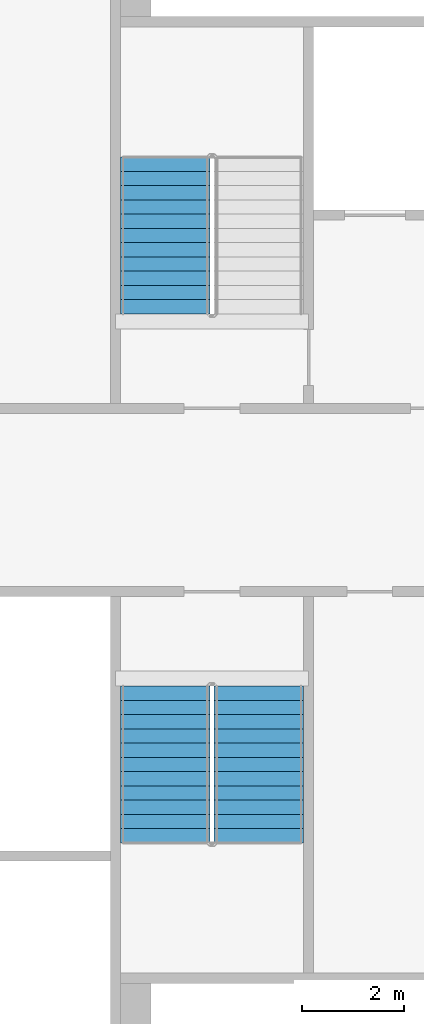
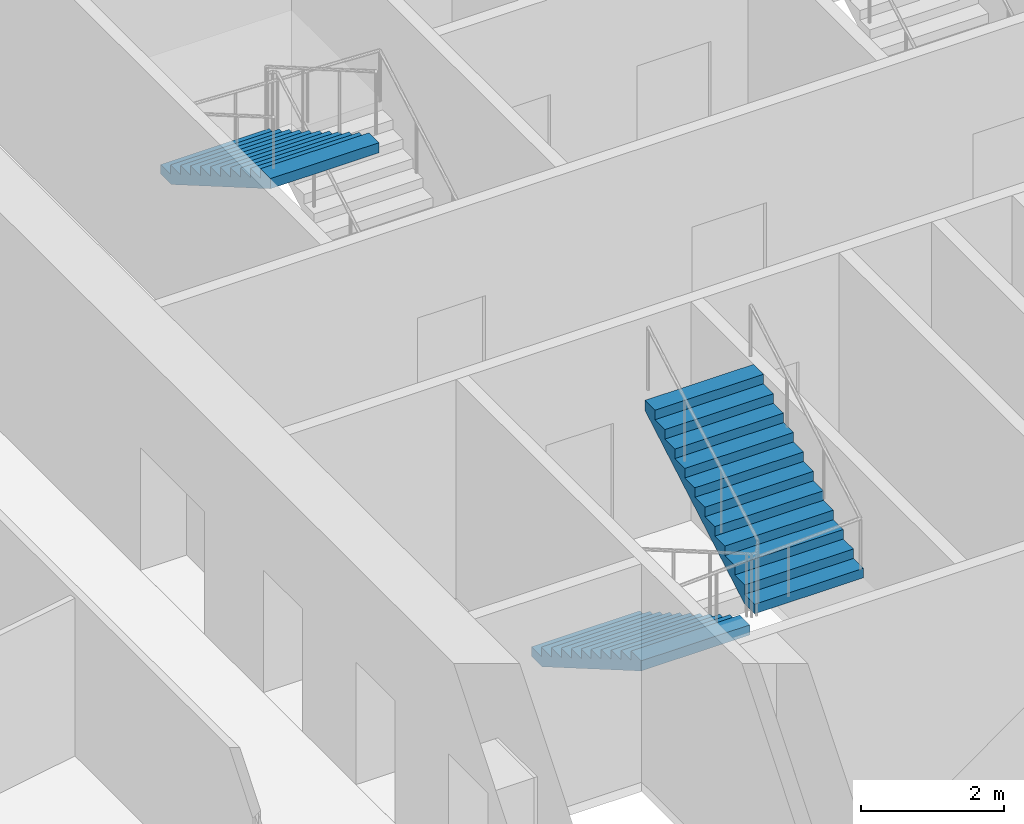
# One storey, part 13 of 21: 3 stair flights, 2 elements without a shape of their own.
"""IFC4 building model written with IfcOpenShell, lengths in metres."""

from ifc_helpers import new_model, si_unit, direction, frame, origin, place, context, subcontext, project, spatial, faceted_brep, material, type_object, element, aggregate, save


model = new_model("IFC4")

# Units and contexts
model_context = context("Model", 3, precision=1e-05, world=origin(), true_north=direction((0.0, 1.0)))
body_context = subcontext(model_context, "Body", "Model", "MODEL_VIEW")
ifc_project = project(units=[si_unit("LENGTHUNIT", "METRE"), si_unit("AREAUNIT", "SQUARE_METRE"), si_unit("VOLUMEUNIT", "CUBIC_METRE"), si_unit("PLANEANGLEUNIT", "RADIAN"), si_unit("MASSUNIT", "GRAM", prefix="KILO")], contexts=[model_context])

# Site, building, storey
site_placement = place(None, origin())
site = spatial("IfcSite", under=ifc_project, at=site_placement, CompositionType="ELEMENT")
building_placement = place(site_placement, origin())
building = spatial("IfcBuilding", under=site, at=building_placement, Name="Tarsis Ring Headquarters", CompositionType="ELEMENT")
storey_placement = place(building_placement, frame((0.0, 0.0, 100.60009765625)))
storey = spatial("IfcBuildingStorey", under=building, at=storey_placement, Name="L22", CompositionType="ELEMENT", Elevation=100.60009765625)

# Stair, stair flight
ifc_material_1 = material(Name="Core stair 1760")
stair_type = type_object("IfcStairType", Name="Core stair 1760", PredefinedType="HALF_TURN_STAIR", material=ifc_material_1)
stair_1_placement = place(storey_placement, origin())
stair_1 = element("IfcStair", 1, at=stair_1_placement, inside=storey, type_object=stair_type, Name="L22 Firefighting stair", PredefinedType="HALF_TURN_STAIR")
ifc_material_2 = material(Name="Concrete C40/50", Category="concrete")
stair_flight_type = type_object("IfcStairFlightType", Name="Core stair flight 1760", PredefinedType="STRAIGHT", material=ifc_material_2)
stair_flight_1_placement = place(storey_placement, frame((-5.419921875, 6.739990234375, 1.949951171875), z_axis=(0.0, 0.0, 1.0), x_axis=(0.0, -1.0, 0.0)))
stair_flight_1 = element("IfcStairFlight", 2, at=stair_flight_1_placement, type_object=stair_flight_type, Name="Stair ST1 flight 2", NumberOfRisers=12, NumberOfTreads=11, PredefinedType="STRAIGHT", RiserHeight=0.1625, TreadLength=0.28, context=body_context, shape_type="Brep", body=[
    faceted_brep([(0.0, 0.8798828125, 0.0), (0.0, 0.8798828125, 0.16259765625), (0.280029296875, 0.8798828125, 0.16259765625), (0.280029296875, 0.8798828125, 0.324951171875), (0.56005859375, 0.8798828125, 0.324951171875), (0.56005859375, 0.8798828125, 0.487548828125), (0.840087890625, 0.8798828125, 0.487548828125), (0.840087890625, 0.8798828125, 0.64990234375), (1.1201171875, 0.8798828125, 0.64990234375), (1.1201171875, 0.8798828125, 0.8125), (1.39990234375, 0.8798828125, 0.8125), (1.39990234375, 0.8798828125, 0.97509765625), (1.679931640625, 0.8798828125, 0.97509765625), (1.679931640625, 0.8798828125, 1.137451171875), (1.9599609375, 0.8798828125, 1.137451171875), (1.9599609375, 0.8798828125, 1.300048828125), (2.239990234375, 0.8798828125, 1.300048828125), (2.239990234375, 0.8798828125, 1.46240234375), (2.52001953125, 0.8798828125, 1.46240234375), (2.52001953125, 0.8798828125, 1.625), (2.800048828125, 0.8798828125, 1.625), (2.800048828125, 0.8798828125, 1.78759765625), (3.080078125, 0.8798828125, 1.78759765625), (3.080078125, 0.8798828125, 1.6142578125), (0.298583984375, 0.8798828125, 0.0), (0.298583984375, -0.8798828125, 0.0), (3.080078125, -0.8798828125, 1.6142578125), (3.080078125, -0.8798828125, 1.78759765625), (2.800048828125, -0.8798828125, 1.78759765625), (2.800048828125, -0.8798828125, 1.625), (2.52001953125, -0.8798828125, 1.625), (2.52001953125, -0.8798828125, 1.46240234375), (2.239990234375, -0.8798828125, 1.46240234375), (2.239990234375, -0.8798828125, 1.300048828125), (1.9599609375, -0.8798828125, 1.300048828125), (1.9599609375, -0.8798828125, 1.137451171875), (1.679931640625, -0.8798828125, 1.137451171875), (1.679931640625, -0.8798828125, 0.97509765625), (1.39990234375, -0.8798828125, 0.97509765625), (1.39990234375, -0.8798828125, 0.8125), (1.1201171875, -0.8798828125, 0.8125), (1.1201171875, -0.8798828125, 0.64990234375), (0.840087890625, -0.8798828125, 0.64990234375), (0.840087890625, -0.8798828125, 0.487548828125), (0.56005859375, -0.8798828125, 0.487548828125), (0.56005859375, -0.8798828125, 0.324951171875), (0.280029296875, -0.8798828125, 0.324951171875), (0.280029296875, -0.8798828125, 0.16259765625), (0.0, -0.8798828125, 0.16259765625), (0.0, -0.8798828125, 0.0), (0.0, -0.43994140625, 0.16259765625), (0.0, -0.43994140625, 0.0), (0.0, 0.0, 0.16259765625), (0.0, 0.0, 0.0), (0.0, 0.43994140625, 0.16259765625), (0.0, 0.43994140625, 0.0), (0.280029296875, -0.43994140625, 0.16259765625), (0.280029296875, 0.0, 0.16259765625), (0.280029296875, 0.43994140625, 0.16259765625), (0.280029296875, -0.43994140625, 0.324951171875), (0.280029296875, 0.0, 0.324951171875), (0.280029296875, 0.43994140625, 0.324951171875), (0.56005859375, -0.43994140625, 0.324951171875), (0.56005859375, 0.0, 0.324951171875), (0.56005859375, 0.43994140625, 0.324951171875), (0.56005859375, -0.43994140625, 0.487548828125), (0.56005859375, 0.0, 0.487548828125), (0.56005859375, 0.43994140625, 0.487548828125), (0.840087890625, -0.43994140625, 0.487548828125), (0.840087890625, 0.0, 0.487548828125), (0.840087890625, 0.43994140625, 0.487548828125), (0.840087890625, -0.43994140625, 0.64990234375), (0.840087890625, 0.0, 0.64990234375), (0.840087890625, 0.43994140625, 0.64990234375), (1.1201171875, -0.43994140625, 0.64990234375), (1.1201171875, 0.0, 0.64990234375), (1.1201171875, 0.43994140625, 0.64990234375), (1.1201171875, -0.43994140625, 0.8125), (1.1201171875, 0.0, 0.8125), (1.1201171875, 0.43994140625, 0.8125), (1.39990234375, -0.43994140625, 0.8125), (1.39990234375, 0.0, 0.8125), (1.39990234375, 0.43994140625, 0.8125), (1.39990234375, -0.43994140625, 0.97509765625), (1.39990234375, 0.0, 0.97509765625), (1.39990234375, 0.43994140625, 0.97509765625), (1.679931640625, -0.43994140625, 0.97509765625), (1.679931640625, 0.0, 0.97509765625), (1.679931640625, 0.43994140625, 0.97509765625), (1.679931640625, -0.43994140625, 1.137451171875), (1.679931640625, 0.0, 1.137451171875), (1.679931640625, 0.43994140625, 1.137451171875), (1.9599609375, -0.43994140625, 1.137451171875), (1.9599609375, 0.0, 1.137451171875), (1.9599609375, 0.43994140625, 1.137451171875), (1.9599609375, -0.43994140625, 1.300048828125), (1.9599609375, 0.0, 1.300048828125), (1.9599609375, 0.43994140625, 1.300048828125), (2.239990234375, -0.43994140625, 1.300048828125), (2.239990234375, 0.0, 1.300048828125), (2.239990234375, 0.43994140625, 1.300048828125), (2.239990234375, -0.43994140625, 1.46240234375), (2.239990234375, 0.0, 1.46240234375), (2.239990234375, 0.43994140625, 1.46240234375), (2.52001953125, -0.43994140625, 1.46240234375), (2.52001953125, 0.0, 1.46240234375), (2.52001953125, 0.43994140625, 1.46240234375), (2.52001953125, -0.43994140625, 1.625), (2.52001953125, 0.0, 1.625), (2.52001953125, 0.43994140625, 1.625), (2.800048828125, -0.43994140625, 1.625), (2.800048828125, 0.0, 1.625), (2.800048828125, 0.43994140625, 1.625), (2.800048828125, -0.43994140625, 1.78759765625), (2.800048828125, 0.0, 1.78759765625), (2.800048828125, 0.43994140625, 1.78759765625), (3.080078125, -0.43994140625, 1.78759765625), (3.080078125, 0.0, 1.78759765625), (3.080078125, 0.43994140625, 1.78759765625), (3.080078125, -0.43994140625, 1.6142578125), (3.080078125, 0.0, 1.6142578125), (3.080078125, 0.43994140625, 1.6142578125), (0.298583984375, -0.43994140625, 0.0), (0.298583984375, 0.0, 0.0), (0.298583984375, 0.43994140625, 0.0)], [[[0, 1, 2, 3, 4, 5, 6, 7, 8, 9, 10, 11, 12, 13, 14, 15, 16, 17, 18, 19, 20, 21, 22, 23, 24]], [[25, 26, 27, 28, 29, 30, 31, 32, 33, 34, 35, 36, 37, 38, 39, 40, 41, 42, 43, 44, 45, 46, 47, 48, 49]], [[49, 48, 50, 51]], [[51, 50, 52, 53]], [[53, 52, 54, 55]], [[55, 54, 1, 0]], [[48, 47, 56, 50]], [[50, 56, 57, 52]], [[52, 57, 58, 54]], [[54, 58, 2, 1]], [[47, 46, 59, 56]], [[56, 59, 60, 57]], [[57, 60, 61, 58]], [[58, 61, 3, 2]], [[46, 45, 62, 59]], [[59, 62, 63, 60]], [[60, 63, 64, 61]], [[61, 64, 4, 3]], [[45, 44, 65, 62]], [[62, 65, 66, 63]], [[63, 66, 67, 64]], [[64, 67, 5, 4]], [[44, 43, 68, 65]], [[65, 68, 69, 66]], [[66, 69, 70, 67]], [[67, 70, 6, 5]], [[43, 42, 71, 68]], [[68, 71, 72, 69]], [[69, 72, 73, 70]], [[70, 73, 7, 6]], [[42, 41, 74, 71]], [[71, 74, 75, 72]], [[72, 75, 76, 73]], [[73, 76, 8, 7]], [[41, 40, 77, 74]], [[74, 77, 78, 75]], [[75, 78, 79, 76]], [[76, 79, 9, 8]], [[40, 39, 80, 77]], [[77, 80, 81, 78]], [[78, 81, 82, 79]], [[79, 82, 10, 9]], [[39, 38, 83, 80]], [[80, 83, 84, 81]], [[81, 84, 85, 82]], [[82, 85, 11, 10]], [[38, 37, 86, 83]], [[83, 86, 87, 84]], [[84, 87, 88, 85]], [[85, 88, 12, 11]], [[37, 36, 89, 86]], [[86, 89, 90, 87]], [[87, 90, 91, 88]], [[88, 91, 13, 12]], [[36, 35, 92, 89]], [[89, 92, 93, 90]], [[90, 93, 94, 91]], [[91, 94, 14, 13]], [[35, 34, 95, 92]], [[92, 95, 96, 93]], [[93, 96, 97, 94]], [[94, 97, 15, 14]], [[34, 33, 98, 95]], [[95, 98, 99, 96]], [[96, 99, 100, 97]], [[97, 100, 16, 15]], [[33, 32, 101, 98]], [[98, 101, 102, 99]], [[99, 102, 103, 100]], [[100, 103, 17, 16]], [[32, 31, 104, 101]], [[101, 104, 105, 102]], [[102, 105, 106, 103]], [[103, 106, 18, 17]], [[31, 30, 107, 104]], [[104, 107, 108, 105]], [[105, 108, 109, 106]], [[106, 109, 19, 18]], [[30, 29, 110, 107]], [[107, 110, 111, 108]], [[108, 111, 112, 109]], [[109, 112, 20, 19]], [[29, 28, 113, 110]], [[110, 113, 114, 111]], [[111, 114, 115, 112]], [[112, 115, 21, 20]], [[28, 27, 116, 113]], [[113, 116, 117, 114]], [[114, 117, 118, 115]], [[115, 118, 22, 21]], [[27, 26, 119, 116]], [[116, 119, 120, 117]], [[117, 120, 121, 118]], [[118, 121, 23, 22]], [[26, 25, 122, 119]], [[119, 122, 123, 120]], [[120, 123, 124, 121]], [[121, 124, 24, 23]], [[25, 49, 51, 122]], [[122, 51, 53, 123]], [[123, 53, 55, 124]], [[124, 55, 0, 24]]]),
])
aggregate(stair_1, [stair_flight_1])

# Stair, stair flights
stair_2_placement = place(storey_placement, origin())
stair_2 = element("IfcStair", 3, at=stair_2_placement, inside=storey, type_object=stair_type, Name="L22 Exit stair C", PredefinedType="HALF_TURN_STAIR")
stair_flight_2_placement = place(storey_placement, frame((-5.419921875, -3.659912109375, 0.0), z_axis=(0.0, 0.0, 1.0), x_axis=(0.0, -1.0, 0.0)))
stair_flight_2 = element("IfcStairFlight", 4, at=stair_flight_2_placement, type_object=stair_flight_type, Name="Stair ST3 flight 1", NumberOfRisers=12, NumberOfTreads=11, PredefinedType="STRAIGHT", RiserHeight=0.1625, TreadLength=0.28, context=body_context, shape_type="Brep", body=[
    faceted_brep([(0.0, 0.8798828125, 0.0), (0.0, 0.8798828125, 0.16259765625), (0.280029296875, 0.8798828125, 0.16259765625), (0.280029296875, 0.8798828125, 0.324951171875), (0.56005859375, 0.8798828125, 0.324951171875), (0.56005859375, 0.8798828125, 0.487548828125), (0.840087890625, 0.8798828125, 0.487548828125), (0.840087890625, 0.8798828125, 0.64990234375), (1.1201171875, 0.8798828125, 0.64990234375), (1.1201171875, 0.8798828125, 0.8125), (1.39990234375, 0.8798828125, 0.8125), (1.39990234375, 0.8798828125, 0.97509765625), (1.679931640625, 0.8798828125, 0.97509765625), (1.679931640625, 0.8798828125, 1.137451171875), (1.9599609375, 0.8798828125, 1.137451171875), (1.9599609375, 0.8798828125, 1.300048828125), (2.239990234375, 0.8798828125, 1.300048828125), (2.239990234375, 0.8798828125, 1.46240234375), (2.52001953125, 0.8798828125, 1.46240234375), (2.52001953125, 0.8798828125, 1.625), (2.800048828125, 0.8798828125, 1.625), (2.800048828125, 0.8798828125, 1.78759765625), (3.080078125, 0.8798828125, 1.78759765625), (3.080078125, 0.8798828125, 1.6142578125), (0.298583984375, 0.8798828125, 0.0), (0.298583984375, -0.8798828125, 0.0), (3.080078125, -0.8798828125, 1.6142578125), (3.080078125, -0.8798828125, 1.78759765625), (2.800048828125, -0.8798828125, 1.78759765625), (2.800048828125, -0.8798828125, 1.625), (2.52001953125, -0.8798828125, 1.625), (2.52001953125, -0.8798828125, 1.46240234375), (2.239990234375, -0.8798828125, 1.46240234375), (2.239990234375, -0.8798828125, 1.300048828125), (1.9599609375, -0.8798828125, 1.300048828125), (1.9599609375, -0.8798828125, 1.137451171875), (1.679931640625, -0.8798828125, 1.137451171875), (1.679931640625, -0.8798828125, 0.97509765625), (1.39990234375, -0.8798828125, 0.97509765625), (1.39990234375, -0.8798828125, 0.8125), (1.1201171875, -0.8798828125, 0.8125), (1.1201171875, -0.8798828125, 0.64990234375), (0.840087890625, -0.8798828125, 0.64990234375), (0.840087890625, -0.8798828125, 0.487548828125), (0.56005859375, -0.8798828125, 0.487548828125), (0.56005859375, -0.8798828125, 0.324951171875), (0.280029296875, -0.8798828125, 0.324951171875), (0.280029296875, -0.8798828125, 0.16259765625), (0.0, -0.8798828125, 0.16259765625), (0.0, -0.8798828125, 0.0), (0.0, -0.43994140625, 0.16259765625), (0.0, -0.43994140625, 0.0), (0.0, 0.0, 0.16259765625), (0.0, 0.0, 0.0), (0.0, 0.43994140625, 0.16259765625), (0.0, 0.43994140625, 0.0), (0.280029296875, -0.43994140625, 0.16259765625), (0.280029296875, 0.0, 0.16259765625), (0.280029296875, 0.43994140625, 0.16259765625), (0.280029296875, -0.43994140625, 0.324951171875), (0.280029296875, 0.0, 0.324951171875), (0.280029296875, 0.43994140625, 0.324951171875), (0.56005859375, -0.43994140625, 0.324951171875), (0.56005859375, 0.0, 0.324951171875), (0.56005859375, 0.43994140625, 0.324951171875), (0.56005859375, -0.43994140625, 0.487548828125), (0.56005859375, 0.0, 0.487548828125), (0.56005859375, 0.43994140625, 0.487548828125), (0.840087890625, -0.43994140625, 0.487548828125), (0.840087890625, 0.0, 0.487548828125), (0.840087890625, 0.43994140625, 0.487548828125), (0.840087890625, -0.43994140625, 0.64990234375), (0.840087890625, 0.0, 0.64990234375), (0.840087890625, 0.43994140625, 0.64990234375), (1.1201171875, -0.43994140625, 0.64990234375), (1.1201171875, 0.0, 0.64990234375), (1.1201171875, 0.43994140625, 0.64990234375), (1.1201171875, -0.43994140625, 0.8125), (1.1201171875, 0.0, 0.8125), (1.1201171875, 0.43994140625, 0.8125), (1.39990234375, -0.43994140625, 0.8125), (1.39990234375, 0.0, 0.8125), (1.39990234375, 0.43994140625, 0.8125), (1.39990234375, -0.43994140625, 0.97509765625), (1.39990234375, 0.0, 0.97509765625), (1.39990234375, 0.43994140625, 0.97509765625), (1.679931640625, -0.43994140625, 0.97509765625), (1.679931640625, 0.0, 0.97509765625), (1.679931640625, 0.43994140625, 0.97509765625), (1.679931640625, -0.43994140625, 1.137451171875), (1.679931640625, 0.0, 1.137451171875), (1.679931640625, 0.43994140625, 1.137451171875), (1.9599609375, -0.43994140625, 1.137451171875), (1.9599609375, 0.0, 1.137451171875), (1.9599609375, 0.43994140625, 1.137451171875), (1.9599609375, -0.43994140625, 1.300048828125), (1.9599609375, 0.0, 1.300048828125), (1.9599609375, 0.43994140625, 1.300048828125), (2.239990234375, -0.43994140625, 1.300048828125), (2.239990234375, 0.0, 1.300048828125), (2.239990234375, 0.43994140625, 1.300048828125), (2.239990234375, -0.43994140625, 1.46240234375), (2.239990234375, 0.0, 1.46240234375), (2.239990234375, 0.43994140625, 1.46240234375), (2.52001953125, -0.43994140625, 1.46240234375), (2.52001953125, 0.0, 1.46240234375), (2.52001953125, 0.43994140625, 1.46240234375), (2.52001953125, -0.43994140625, 1.625), (2.52001953125, 0.0, 1.625), (2.52001953125, 0.43994140625, 1.625), (2.800048828125, -0.43994140625, 1.625), (2.800048828125, 0.0, 1.625), (2.800048828125, 0.43994140625, 1.625), (2.800048828125, -0.43994140625, 1.78759765625), (2.800048828125, 0.0, 1.78759765625), (2.800048828125, 0.43994140625, 1.78759765625), (3.080078125, -0.43994140625, 1.78759765625), (3.080078125, 0.0, 1.78759765625), (3.080078125, 0.43994140625, 1.78759765625), (3.080078125, -0.43994140625, 1.6142578125), (3.080078125, 0.0, 1.6142578125), (3.080078125, 0.43994140625, 1.6142578125), (0.298583984375, -0.43994140625, 0.0), (0.298583984375, 0.0, 0.0), (0.298583984375, 0.43994140625, 0.0)], [[[0, 1, 2, 3, 4, 5, 6, 7, 8, 9, 10, 11, 12, 13, 14, 15, 16, 17, 18, 19, 20, 21, 22, 23, 24]], [[25, 26, 27, 28, 29, 30, 31, 32, 33, 34, 35, 36, 37, 38, 39, 40, 41, 42, 43, 44, 45, 46, 47, 48, 49]], [[49, 48, 50, 51]], [[51, 50, 52, 53]], [[53, 52, 54, 55]], [[55, 54, 1, 0]], [[48, 47, 56, 50]], [[50, 56, 57, 52]], [[52, 57, 58, 54]], [[54, 58, 2, 1]], [[47, 46, 59, 56]], [[56, 59, 60, 57]], [[57, 60, 61, 58]], [[58, 61, 3, 2]], [[46, 45, 62, 59]], [[59, 62, 63, 60]], [[60, 63, 64, 61]], [[61, 64, 4, 3]], [[45, 44, 65, 62]], [[62, 65, 66, 63]], [[63, 66, 67, 64]], [[64, 67, 5, 4]], [[44, 43, 68, 65]], [[65, 68, 69, 66]], [[66, 69, 70, 67]], [[67, 70, 6, 5]], [[43, 42, 71, 68]], [[68, 71, 72, 69]], [[69, 72, 73, 70]], [[70, 73, 7, 6]], [[42, 41, 74, 71]], [[71, 74, 75, 72]], [[72, 75, 76, 73]], [[73, 76, 8, 7]], [[41, 40, 77, 74]], [[74, 77, 78, 75]], [[75, 78, 79, 76]], [[76, 79, 9, 8]], [[40, 39, 80, 77]], [[77, 80, 81, 78]], [[78, 81, 82, 79]], [[79, 82, 10, 9]], [[39, 38, 83, 80]], [[80, 83, 84, 81]], [[81, 84, 85, 82]], [[82, 85, 11, 10]], [[38, 37, 86, 83]], [[83, 86, 87, 84]], [[84, 87, 88, 85]], [[85, 88, 12, 11]], [[37, 36, 89, 86]], [[86, 89, 90, 87]], [[87, 90, 91, 88]], [[88, 91, 13, 12]], [[36, 35, 92, 89]], [[89, 92, 93, 90]], [[90, 93, 94, 91]], [[91, 94, 14, 13]], [[35, 34, 95, 92]], [[92, 95, 96, 93]], [[93, 96, 97, 94]], [[94, 97, 15, 14]], [[34, 33, 98, 95]], [[95, 98, 99, 96]], [[96, 99, 100, 97]], [[97, 100, 16, 15]], [[33, 32, 101, 98]], [[98, 101, 102, 99]], [[99, 102, 103, 100]], [[100, 103, 17, 16]], [[32, 31, 104, 101]], [[101, 104, 105, 102]], [[102, 105, 106, 103]], [[103, 106, 18, 17]], [[31, 30, 107, 104]], [[104, 107, 108, 105]], [[105, 108, 109, 106]], [[106, 109, 19, 18]], [[30, 29, 110, 107]], [[107, 110, 111, 108]], [[108, 111, 112, 109]], [[109, 112, 20, 19]], [[29, 28, 113, 110]], [[110, 113, 114, 111]], [[111, 114, 115, 112]], [[112, 115, 21, 20]], [[28, 27, 116, 113]], [[113, 116, 117, 114]], [[114, 117, 118, 115]], [[115, 118, 22, 21]], [[27, 26, 119, 116]], [[116, 119, 120, 117]], [[117, 120, 121, 118]], [[118, 121, 23, 22]], [[26, 25, 122, 119]], [[119, 122, 123, 120]], [[120, 123, 124, 121]], [[121, 124, 24, 23]], [[25, 49, 51, 122]], [[122, 51, 53, 123]], [[123, 53, 55, 124]], [[124, 55, 0, 24]]]),
])
stair_flight_3_placement = place(storey_placement, frame((-3.580078125, -6.739990234375, 1.949951171875), z_axis=(0.0, 0.0, 1.0), x_axis=(0.0, 1.0, 0.0)))
stair_flight_3 = element("IfcStairFlight", 5, at=stair_flight_3_placement, type_object=stair_flight_type, Name="Stair ST3 flight 2", NumberOfRisers=12, NumberOfTreads=11, PredefinedType="STRAIGHT", RiserHeight=0.1625, TreadLength=0.28, context=body_context, shape_type="Brep", body=[
    faceted_brep([(0.0, 0.8798828125, 0.0), (0.0, 0.8798828125, 0.16259765625), (0.280029296875, 0.8798828125, 0.16259765625), (0.280029296875, 0.8798828125, 0.324951171875), (0.56005859375, 0.8798828125, 0.324951171875), (0.56005859375, 0.8798828125, 0.487548828125), (0.840087890625, 0.8798828125, 0.487548828125), (0.840087890625, 0.8798828125, 0.64990234375), (1.1201171875, 0.8798828125, 0.64990234375), (1.1201171875, 0.8798828125, 0.8125), (1.39990234375, 0.8798828125, 0.8125), (1.39990234375, 0.8798828125, 0.97509765625), (1.679931640625, 0.8798828125, 0.97509765625), (1.679931640625, 0.8798828125, 1.137451171875), (1.9599609375, 0.8798828125, 1.137451171875), (1.9599609375, 0.8798828125, 1.300048828125), (2.239990234375, 0.8798828125, 1.300048828125), (2.239990234375, 0.8798828125, 1.46240234375), (2.52001953125, 0.8798828125, 1.46240234375), (2.52001953125, 0.8798828125, 1.625), (2.800048828125, 0.8798828125, 1.625), (2.800048828125, 0.8798828125, 1.78759765625), (3.080078125, 0.8798828125, 1.78759765625), (3.080078125, 0.8798828125, 1.6142578125), (0.298583984375, 0.8798828125, 0.0), (0.298583984375, -0.8798828125, 0.0), (3.080078125, -0.8798828125, 1.6142578125), (3.080078125, -0.8798828125, 1.78759765625), (2.800048828125, -0.8798828125, 1.78759765625), (2.800048828125, -0.8798828125, 1.625), (2.52001953125, -0.8798828125, 1.625), (2.52001953125, -0.8798828125, 1.46240234375), (2.239990234375, -0.8798828125, 1.46240234375), (2.239990234375, -0.8798828125, 1.300048828125), (1.9599609375, -0.8798828125, 1.300048828125), (1.9599609375, -0.8798828125, 1.137451171875), (1.679931640625, -0.8798828125, 1.137451171875), (1.679931640625, -0.8798828125, 0.97509765625), (1.39990234375, -0.8798828125, 0.97509765625), (1.39990234375, -0.8798828125, 0.8125), (1.1201171875, -0.8798828125, 0.8125), (1.1201171875, -0.8798828125, 0.64990234375), (0.840087890625, -0.8798828125, 0.64990234375), (0.840087890625, -0.8798828125, 0.487548828125), (0.56005859375, -0.8798828125, 0.487548828125), (0.56005859375, -0.8798828125, 0.324951171875), (0.280029296875, -0.8798828125, 0.324951171875), (0.280029296875, -0.8798828125, 0.16259765625), (0.0, -0.8798828125, 0.16259765625), (0.0, -0.8798828125, 0.0), (0.0, -0.43994140625, 0.16259765625), (0.0, -0.43994140625, 0.0), (0.0, 0.0, 0.16259765625), (0.0, 0.0, 0.0), (0.0, 0.43994140625, 0.16259765625), (0.0, 0.43994140625, 0.0), (0.280029296875, -0.43994140625, 0.16259765625), (0.280029296875, 0.0, 0.16259765625), (0.280029296875, 0.43994140625, 0.16259765625), (0.280029296875, -0.43994140625, 0.324951171875), (0.280029296875, 0.0, 0.324951171875), (0.280029296875, 0.43994140625, 0.324951171875), (0.56005859375, -0.43994140625, 0.324951171875), (0.56005859375, 0.0, 0.324951171875), (0.56005859375, 0.43994140625, 0.324951171875), (0.56005859375, -0.43994140625, 0.487548828125), (0.56005859375, 0.0, 0.487548828125), (0.56005859375, 0.43994140625, 0.487548828125), (0.840087890625, -0.43994140625, 0.487548828125), (0.840087890625, 0.0, 0.487548828125), (0.840087890625, 0.43994140625, 0.487548828125), (0.840087890625, -0.43994140625, 0.64990234375), (0.840087890625, 0.0, 0.64990234375), (0.840087890625, 0.43994140625, 0.64990234375), (1.1201171875, -0.43994140625, 0.64990234375), (1.1201171875, 0.0, 0.64990234375), (1.1201171875, 0.43994140625, 0.64990234375), (1.1201171875, -0.43994140625, 0.8125), (1.1201171875, 0.0, 0.8125), (1.1201171875, 0.43994140625, 0.8125), (1.39990234375, -0.43994140625, 0.8125), (1.39990234375, 0.0, 0.8125), (1.39990234375, 0.43994140625, 0.8125), (1.39990234375, -0.43994140625, 0.97509765625), (1.39990234375, 0.0, 0.97509765625), (1.39990234375, 0.43994140625, 0.97509765625), (1.679931640625, -0.43994140625, 0.97509765625), (1.679931640625, 0.0, 0.97509765625), (1.679931640625, 0.43994140625, 0.97509765625), (1.679931640625, -0.43994140625, 1.137451171875), (1.679931640625, 0.0, 1.137451171875), (1.679931640625, 0.43994140625, 1.137451171875), (1.9599609375, -0.43994140625, 1.137451171875), (1.9599609375, 0.0, 1.137451171875), (1.9599609375, 0.43994140625, 1.137451171875), (1.9599609375, -0.43994140625, 1.300048828125), (1.9599609375, 0.0, 1.300048828125), (1.9599609375, 0.43994140625, 1.300048828125), (2.239990234375, -0.43994140625, 1.300048828125), (2.239990234375, 0.0, 1.300048828125), (2.239990234375, 0.43994140625, 1.300048828125), (2.239990234375, -0.43994140625, 1.46240234375), (2.239990234375, 0.0, 1.46240234375), (2.239990234375, 0.43994140625, 1.46240234375), (2.52001953125, -0.43994140625, 1.46240234375), (2.52001953125, 0.0, 1.46240234375), (2.52001953125, 0.43994140625, 1.46240234375), (2.52001953125, -0.43994140625, 1.625), (2.52001953125, 0.0, 1.625), (2.52001953125, 0.43994140625, 1.625), (2.800048828125, -0.43994140625, 1.625), (2.800048828125, 0.0, 1.625), (2.800048828125, 0.43994140625, 1.625), (2.800048828125, -0.43994140625, 1.78759765625), (2.800048828125, 0.0, 1.78759765625), (2.800048828125, 0.43994140625, 1.78759765625), (3.080078125, -0.43994140625, 1.78759765625), (3.080078125, 0.0, 1.78759765625), (3.080078125, 0.43994140625, 1.78759765625), (3.080078125, -0.43994140625, 1.6142578125), (3.080078125, 0.0, 1.6142578125), (3.080078125, 0.43994140625, 1.6142578125), (0.298583984375, -0.43994140625, 0.0), (0.298583984375, 0.0, 0.0), (0.298583984375, 0.43994140625, 0.0)], [[[0, 1, 2, 3, 4, 5, 6, 7, 8, 9, 10, 11, 12, 13, 14, 15, 16, 17, 18, 19, 20, 21, 22, 23, 24]], [[25, 26, 27, 28, 29, 30, 31, 32, 33, 34, 35, 36, 37, 38, 39, 40, 41, 42, 43, 44, 45, 46, 47, 48, 49]], [[49, 48, 50, 51]], [[51, 50, 52, 53]], [[53, 52, 54, 55]], [[55, 54, 1, 0]], [[48, 47, 56, 50]], [[50, 56, 57, 52]], [[52, 57, 58, 54]], [[54, 58, 2, 1]], [[47, 46, 59, 56]], [[56, 59, 60, 57]], [[57, 60, 61, 58]], [[58, 61, 3, 2]], [[46, 45, 62, 59]], [[59, 62, 63, 60]], [[60, 63, 64, 61]], [[61, 64, 4, 3]], [[45, 44, 65, 62]], [[62, 65, 66, 63]], [[63, 66, 67, 64]], [[64, 67, 5, 4]], [[44, 43, 68, 65]], [[65, 68, 69, 66]], [[66, 69, 70, 67]], [[67, 70, 6, 5]], [[43, 42, 71, 68]], [[68, 71, 72, 69]], [[69, 72, 73, 70]], [[70, 73, 7, 6]], [[42, 41, 74, 71]], [[71, 74, 75, 72]], [[72, 75, 76, 73]], [[73, 76, 8, 7]], [[41, 40, 77, 74]], [[74, 77, 78, 75]], [[75, 78, 79, 76]], [[76, 79, 9, 8]], [[40, 39, 80, 77]], [[77, 80, 81, 78]], [[78, 81, 82, 79]], [[79, 82, 10, 9]], [[39, 38, 83, 80]], [[80, 83, 84, 81]], [[81, 84, 85, 82]], [[82, 85, 11, 10]], [[38, 37, 86, 83]], [[83, 86, 87, 84]], [[84, 87, 88, 85]], [[85, 88, 12, 11]], [[37, 36, 89, 86]], [[86, 89, 90, 87]], [[87, 90, 91, 88]], [[88, 91, 13, 12]], [[36, 35, 92, 89]], [[89, 92, 93, 90]], [[90, 93, 94, 91]], [[91, 94, 14, 13]], [[35, 34, 95, 92]], [[92, 95, 96, 93]], [[93, 96, 97, 94]], [[94, 97, 15, 14]], [[34, 33, 98, 95]], [[95, 98, 99, 96]], [[96, 99, 100, 97]], [[97, 100, 16, 15]], [[33, 32, 101, 98]], [[98, 101, 102, 99]], [[99, 102, 103, 100]], [[100, 103, 17, 16]], [[32, 31, 104, 101]], [[101, 104, 105, 102]], [[102, 105, 106, 103]], [[103, 106, 18, 17]], [[31, 30, 107, 104]], [[104, 107, 108, 105]], [[105, 108, 109, 106]], [[106, 109, 19, 18]], [[30, 29, 110, 107]], [[107, 110, 111, 108]], [[108, 111, 112, 109]], [[109, 112, 20, 19]], [[29, 28, 113, 110]], [[110, 113, 114, 111]], [[111, 114, 115, 112]], [[112, 115, 21, 20]], [[28, 27, 116, 113]], [[113, 116, 117, 114]], [[114, 117, 118, 115]], [[115, 118, 22, 21]], [[27, 26, 119, 116]], [[116, 119, 120, 117]], [[117, 120, 121, 118]], [[118, 121, 23, 22]], [[26, 25, 122, 119]], [[119, 122, 123, 120]], [[120, 123, 124, 121]], [[121, 124, 24, 23]], [[25, 49, 51, 122]], [[122, 51, 53, 123]], [[123, 53, 55, 124]], [[124, 55, 0, 24]]]),
])
aggregate(stair_2, [stair_flight_2, stair_flight_3])

save(model, "model.ifc")
